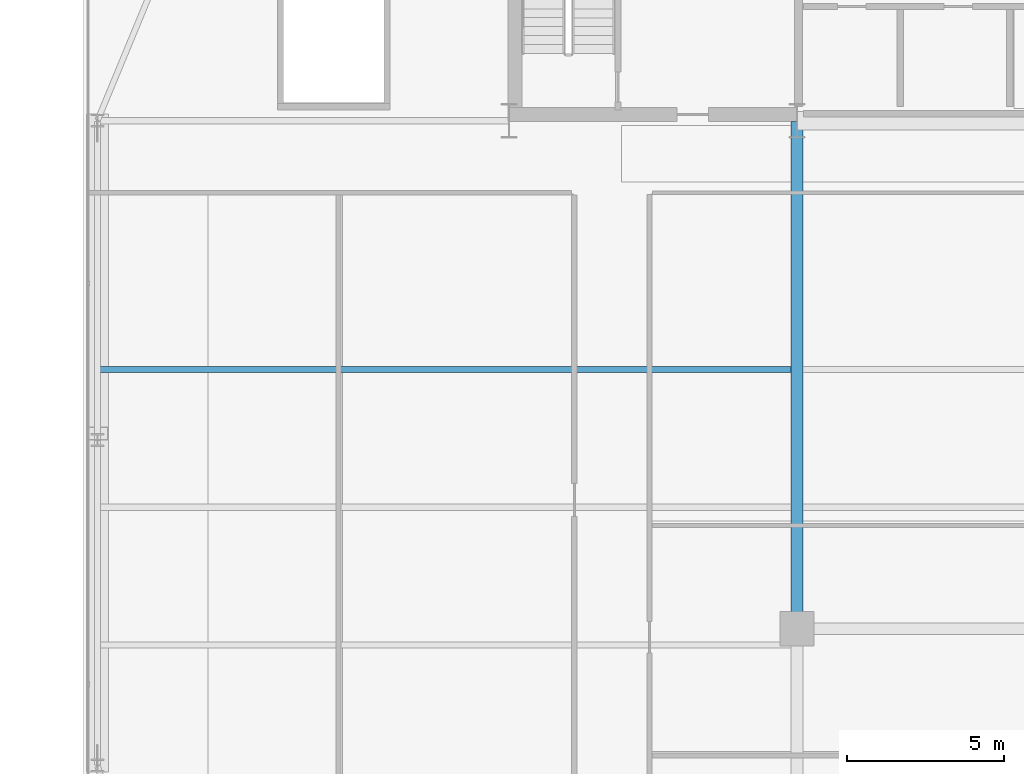
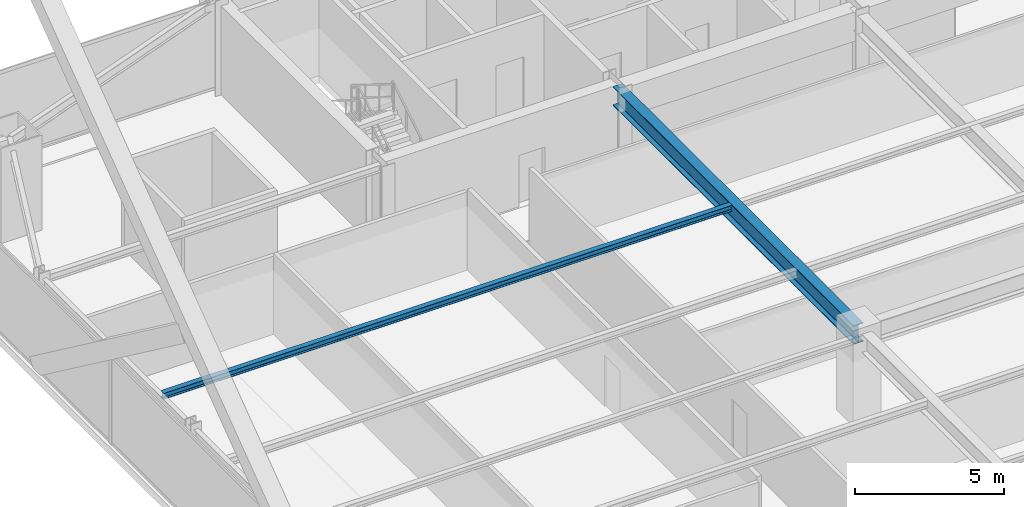
# One storey, part 10 of 34: 2 beams.
"""IFC4 building model written with IfcOpenShell, lengths in metres."""

from ifc_helpers import new_model, si_unit, direction, frame, origin, origin_2d, place, context, subcontext, project, spatial, i_section, extrude, source, transform, mapped, material, material_profile, profile_set, type_object, type_shapes, element, save


model = new_model("IFC4")

# Units and contexts
model_context = context("Model", 3, precision=1e-05, world=origin(), true_north=direction((0.0, 1.0)))
body_context = subcontext(model_context, "Body", "Model", "MODEL_VIEW")
ifc_project = project(units=[si_unit("LENGTHUNIT", "METRE"), si_unit("AREAUNIT", "SQUARE_METRE"), si_unit("VOLUMEUNIT", "CUBIC_METRE"), si_unit("PLANEANGLEUNIT", "RADIAN"), si_unit("MASSUNIT", "GRAM", prefix="KILO")], contexts=[model_context])

# Site, building, storey
site_placement = place(None, origin())
site = spatial("IfcSite", under=ifc_project, at=site_placement, CompositionType="ELEMENT")
building_placement = place(site_placement, origin())
building = spatial("IfcBuilding", under=site, at=building_placement, Name="Varnel Quay Broadcast Tower", CompositionType="ELEMENT")
storey_placement = place(building_placement, frame((0.0, 0.0, 27.60009765625)))
storey = spatial("IfcBuildingStorey", under=building, at=storey_placement, Name="L05", CompositionType="ELEMENT", Elevation=27.60009765625)

# Beams
ifc_material = material(Name="Structural Steel CSA G40.21 350W", Category="steel")
ifc_material_profile_1 = material_profile(ifc_material, i_section(OverallWidth=0.381103515625, OverallDepth=0.77294921875, WebThickness=0.0166015625, FlangeThickness=0.027587890625, FilletRadius=0.01806640625, at=origin_2d()), Name="W760X257")
ifc_profile_set_1 = profile_set([ifc_material_profile_1], Name="Structural Steel CSA G40.21 350W")
beam_type_1 = type_object("IfcBeamType", Name="Girder_W760X257", PredefinedType="BEAM", material=ifc_profile_set_1)
shared_shape_1 = source(origin(), body_context, "Body", "SweptSolid", [
    extrude(i_section(OverallWidth=0.381103515625, OverallDepth=0.77294921875, WebThickness=0.0166015625, FlangeThickness=0.027587890625, FilletRadius=0.01806640625, at=origin_2d()), origin(), (0.0, 0.0, 1.0), 16.190185546875),
])
type_shapes(beam_type_1, [shared_shape_1])
beam_1_placement = place(storey_placement, frame((24.800048828125, 19.389892578125, 3.263427734375), z_axis=(0.0, 1.0, 0.0), x_axis=(-1.0, 0.0, 0.0)))
element("IfcBeam", 1, at=beam_1_placement, inside=storey, type_object=beam_type_1, Name="L05 Primary Girder IC-01-CC-S2", PredefinedType="BEAM", context=body_context, shape_type="MappedRepresentation", body=[
    mapped(shared_shape_1, transform((0.0, 0.0, 0.0), x_axis=(1.0, 0.0, 0.0), y_axis=(0.0, 1.0, 0.0), z_axis=(0.0, 0.0, 1.0), scale=1.0)),
])
ifc_material_profile_2 = material_profile(ifc_material, i_section(OverallWidth=0.201904296875, OverallDepth=0.2470703125, WebThickness=0.00732421875, FlangeThickness=0.010986328125, FilletRadius=0.010986328125, at=origin_2d()), Name="W250X49")
ifc_profile_set_2 = profile_set([ifc_material_profile_2], Name="Structural Steel CSA G40.21 350W")
beam_type_2 = type_object("IfcBeamType", Name="Beam_W250X49", PredefinedType="JOIST", material=ifc_profile_set_2)
shared_shape_2 = source(origin(), body_context, "Body", "SweptSolid", [
    extrude(i_section(OverallWidth=0.201904296875, OverallDepth=0.2470703125, WebThickness=0.00732421875, FlangeThickness=0.010986328125, FilletRadius=0.010986328125, at=origin_2d()), origin(), (0.0, 0.0, 1.0), 22.0791015625),
])
type_shapes(beam_type_2, [shared_shape_2])
beam_2_placement = place(storey_placement, frame((2.535400390625, 27.64990234375, 3.5263671875), z_axis=(1.0, 0.0, 0.0), x_axis=(0.0, 1.0, 0.0)))
element("IfcBeam", 2, at=beam_2_placement, inside=storey, type_object=beam_type_2, Name="L05 West Floor Joist 6", PredefinedType="JOIST", context=body_context, shape_type="MappedRepresentation", body=[
    mapped(shared_shape_2, transform((0.0, 0.0, 0.0), x_axis=(1.0, 0.0, 0.0), y_axis=(0.0, 1.0, 0.0), z_axis=(0.0, 0.0, 1.0), scale=1.0)),
])

save(model, "model.ifc")
